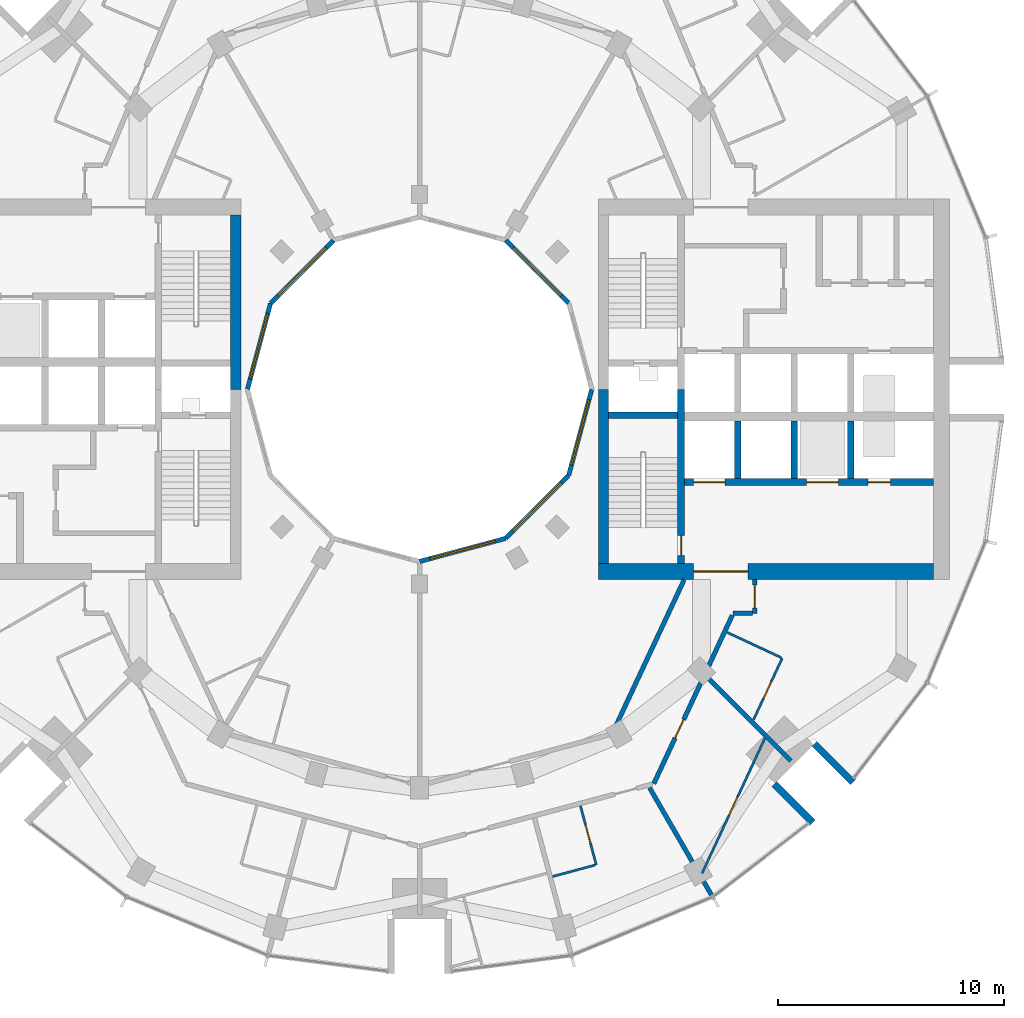
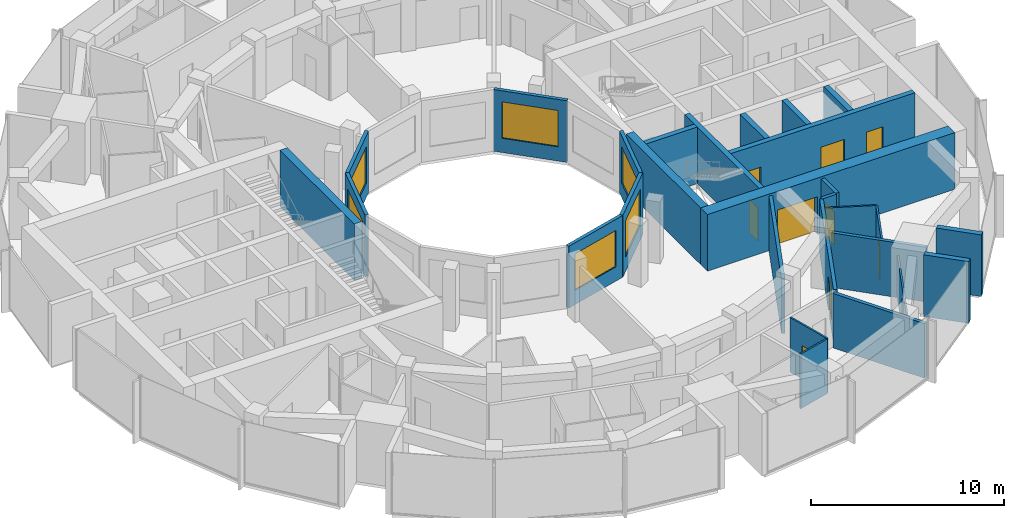
# One storey, part 10 of 15: 28 walls, 10 doors, 6 windows, 16 openings.
"""IFC4 building model written with IfcOpenShell, lengths in metres."""

from ifc_helpers import new_model, si_unit, direction, frame, frame_2d, origin, place, context, subcontext, project, spatial, rectangle, extrude, material, layer, layer_set, type_object, element, fill, save


model = new_model("IFC4")

# Units and contexts
model_context = context("Model", 3, precision=1e-05, world=origin(), true_north=direction((0.0, 1.0)))
body_context = subcontext(model_context, "Body", "Model", "MODEL_VIEW")
ifc_project = project(units=[si_unit("LENGTHUNIT", "METRE"), si_unit("AREAUNIT", "SQUARE_METRE"), si_unit("VOLUMEUNIT", "CUBIC_METRE"), si_unit("PLANEANGLEUNIT", "RADIAN"), si_unit("MASSUNIT", "GRAM", prefix="KILO")], contexts=[model_context])

# Site, building, storey
site_placement = place(None, origin())
site = spatial("IfcSite", under=ifc_project, at=site_placement, CompositionType="ELEMENT")
building_placement = place(site_placement, origin())
building = spatial("IfcBuilding", under=site, at=building_placement, Name="Torre Brocal", CompositionType="ELEMENT")
storey_placement = place(building_placement, frame((0.0, 0.0, 126.300048828125)))
storey = spatial("IfcBuildingStorey", under=building, at=storey_placement, Name="L29", CompositionType="ELEMENT", Elevation=126.300048828125)

# Wall, opening, door
ifc_material_1 = material(Name="Concrete C70", Category="concrete")
ifc_layer_1 = layer(ifc_material_1, 0.300048828125)
ifc_layer_set_1 = layer_set([ifc_layer_1], Name="Concrete C70")
wall_type_1 = type_object("IfcWallType", Name="CORE WALL 300 C70", PredefinedType="SHEAR", material=ifc_layer_set_1)
wall_1_placement = place(storey_placement, frame((91.550048828125, 67.300048828125, 0.0), z_axis=(0.0, 0.0, 1.0), x_axis=(0.0, 1.0, 0.0)))
wall_1 = element("IfcWall", 1, at=wall_1_placement, inside=storey, type_object=wall_type_1, Name="Wall CW300-70", PredefinedType="SHEAR", context=body_context, shape_type="SweptSolid", body=[
    extrude(rectangle(XDim=7.699951171875, YDim=0.300048828125, at=frame_2d((3.85009765625, 0.0))), origin(), (0.0, 0.0, 1.0), 3.579833984375),
])
opening_1_placement = place(wall_1_placement, frame((0.35009765625, 0.0, 0.0)))
opening_1 = element("IfcOpeningElement", 2, at=opening_1_placement, cuts=wall_1, Name="Opening E-D03", PredefinedType="OPENING", context=body_context, shape_type="SweptSolid", body=[
    extrude(rectangle(XDim=0.89990234375, YDim=2.10009765625, at=frame_2d((0.449951171875, 1.050048828125))), frame((0.0, 0.159912109375, 0.0), z_axis=(0.0, -1.0, 0.0), x_axis=(1.0, 0.0, 0.0)), (0.0, 0.0, 1.0), 0.320068359375),
])
ifc_material_2 = material(Name="Steel A653", Category="steel")
door_type_1 = type_object("IfcDoorType", Name="STAIR DOOR FD120 900X2100", OperationType="SINGLE_SWING_RIGHT", PredefinedType="DOOR", material=ifc_material_2)
door_1_placement = place(opening_1_placement, origin())
door_1 = element("IfcDoor", 3, at=door_1_placement, inside=storey, type_object=door_type_1, Name="Door E-D03", OperationType="SINGLE_SWING_LEFT", OverallHeight=2.10009765625, OverallWidth=0.89990234375, PredefinedType="DOOR", context=body_context, shape_type="SweptSolid", body=[
    extrude(rectangle(XDim=0.89990234375, YDim=2.10009765625, at=frame_2d((0.449951171875, 1.050048828125))), frame((0.0, 0.02490234375, 0.0), z_axis=(0.0, -1.0, 0.0), x_axis=(1.0, 0.0, 0.0)), (0.0, 0.0, 1.0), 0.050048828125),
])
fill(opening_1, door_1)

# Wall
wall_2_placement = place(storey_placement, frame((88.35009765625, 73.85009765625, 0.0), z_axis=(0.0, 0.0, 1.0), x_axis=(1.0, 0.0, 0.0)))
element("IfcWall", 4, at=wall_2_placement, inside=storey, type_object=wall_type_1, Name="Wall CW300-70", PredefinedType="SHEAR", context=body_context, shape_type="SweptSolid", body=[
    extrude(rectangle(XDim=3.0498046875, YDim=0.300048828125, at=frame_2d((1.52490234375, 0.0))), origin(), (0.0, 0.0, 1.0), 3.579833984375),
])

# Wall, openings, doors
wall_3_placement = place(storey_placement, frame((91.699951171875, 70.89990234375, 0.0), z_axis=(0.0, 0.0, 1.0), x_axis=(1.0, 0.0, 0.0)))
wall_3 = element("IfcWall", 5, at=wall_3_placement, inside=storey, type_object=wall_type_1, Name="Wall CW300-70", PredefinedType="SHEAR", context=body_context, shape_type="SweptSolid", body=[
    extrude(rectangle(XDim=11.0, YDim=0.300048828125, at=frame_2d((5.5, 0.0))), origin(), (0.0, 0.0, 1.0), 3.579833984375),
])
opening_2_placement = place(wall_3_placement, frame((0.39990234375, 0.0, 0.0)))
opening_2 = element("IfcOpeningElement", 6, at=opening_2_placement, cuts=wall_3, Name="Opening LD14", PredefinedType="OPENING", context=body_context, shape_type="SweptSolid", body=[
    extrude(rectangle(XDim=1.39990234375, YDim=2.10009765625, at=frame_2d((0.699951171875, 1.050048828125))), frame((0.0, 0.159912109375, 0.0), z_axis=(0.0, -1.0, 0.0), x_axis=(1.0, 0.0, 0.0)), (0.0, 0.0, 1.0), 0.320068359375),
])
opening_3_placement = place(wall_3_placement, frame((5.39990234375, 0.0, 0.0)))
opening_3 = element("IfcOpeningElement", 7, at=opening_3_placement, cuts=wall_3, Name="Opening LD14", PredefinedType="OPENING", context=body_context, shape_type="SweptSolid", body=[
    extrude(rectangle(XDim=1.39990234375, YDim=2.10009765625, at=frame_2d((0.699951171875, 1.050048828125))), frame((0.0, 0.159912109375, 0.0), z_axis=(0.0, -1.0, 0.0), x_axis=(1.0, 0.0, 0.0)), (0.0, 0.0, 1.0), 0.320068359375),
])
opening_4_placement = place(wall_3_placement, frame((8.10009765625, 0.0, 0.0)))
opening_4 = element("IfcOpeningElement", 8, at=opening_4_placement, cuts=wall_3, Name="Opening LD10", PredefinedType="OPENING", context=body_context, shape_type="SweptSolid", body=[
    extrude(rectangle(XDim=1.0, YDim=2.10009765625, at=frame_2d((0.5, 1.050048828125))), frame((0.0, 0.159912109375, 0.0), z_axis=(0.0, -1.0, 0.0), x_axis=(1.0, 0.0, 0.0)), (0.0, 0.0, 1.0), 0.320068359375),
])
ifc_material_3 = material(Name="Stainless steel AISI 316", Category="steel")
door_type_2 = type_object("IfcDoorType", Name="LIFT LANDING DOOR 1000X2100", OperationType="DOUBLE_DOOR_SLIDING", PredefinedType="DOOR", material=ifc_material_3)
door_2_placement = place(opening_4_placement, origin())
door_2 = element("IfcDoor", 9, at=door_2_placement, inside=storey, type_object=door_type_2, Name="Door LD10", OperationType="DOUBLE_DOOR_SLIDING", OverallHeight=2.10009765625, OverallWidth=1.0, PredefinedType="DOOR", context=body_context, shape_type="SweptSolid", body=[
    extrude(rectangle(XDim=1.0, YDim=2.10009765625, at=frame_2d((0.5, 1.050048828125))), frame((0.0, 0.02490234375, 0.0), z_axis=(0.0, -1.0, 0.0), x_axis=(1.0, 0.0, 0.0)), (0.0, 0.0, 1.0), 0.050048828125),
])
fill(opening_4, door_2)
ifc_material_4 = material(Name="Stainless steel AISI 316", Category="steel")
door_type_3 = type_object("IfcDoorType", Name="LIFT LANDING DOOR 1400X2100", OperationType="DOUBLE_DOOR_SLIDING", PredefinedType="DOOR", material=ifc_material_4)
door_3_placement = place(opening_2_placement, origin())
door_3 = element("IfcDoor", 10, at=door_3_placement, inside=storey, type_object=door_type_3, Name="Door LD14", OperationType="DOUBLE_DOOR_SLIDING", OverallHeight=2.10009765625, OverallWidth=1.39990234375, PredefinedType="DOOR", context=body_context, shape_type="SweptSolid", body=[
    extrude(rectangle(XDim=1.39990234375, YDim=2.10009765625, at=frame_2d((0.699951171875, 1.050048828125))), frame((0.0, 0.02490234375, 0.0), z_axis=(0.0, -1.0, 0.0), x_axis=(1.0, 0.0, 0.0)), (0.0, 0.0, 1.0), 0.050048828125),
])
fill(opening_2, door_3)
door_4_placement = place(opening_3_placement, origin())
door_4 = element("IfcDoor", 11, at=door_4_placement, inside=storey, type_object=door_type_3, Name="Door LD14", OperationType="DOUBLE_DOOR_SLIDING", OverallHeight=2.10009765625, OverallWidth=1.39990234375, PredefinedType="DOOR", context=body_context, shape_type="SweptSolid", body=[
    extrude(rectangle(XDim=1.39990234375, YDim=2.10009765625, at=frame_2d((0.699951171875, 1.050048828125))), frame((0.0, 0.02490234375, 0.0), z_axis=(0.0, -1.0, 0.0), x_axis=(1.0, 0.0, 0.0)), (0.0, 0.0, 1.0), 0.050048828125),
])
fill(opening_3, door_4)

# Walls
for number, where, z_axis, x_axis, name in (
    (12, (94.050048828125, 71.050048828125, 0.0), (0.0, 0.0, 1.0), (0.0, 1.0, 0.0), "Wall CW300-70"),
    (13, (96.550048828125, 71.050048828125, 0.0), (0.0, 0.0, 1.0), (0.0, 1.0, 0.0), "Wall CW300-70"),
    (14, (99.050048828125, 71.050048828125, 0.0), (0.0, 0.0, 1.0), (0.0, 1.0, 0.0), "Wall CW300-70"),
):
    element("IfcWall", number, at=place(storey_placement, frame(where, z_axis=z_axis, x_axis=x_axis)), inside=storey, type_object=wall_type_1, Name=name, PredefinedType="SHEAR", context=body_context, shape_type="SweptSolid", body=[
        extrude(rectangle(XDim=2.550048828125, YDim=0.300048828125, at=frame_2d((1.27490234375, 0.0))), origin(), (0.0, 0.0, 1.0), 3.579833984375),
    ])
ifc_material_5 = material(Name="Concrete C70", Category="concrete")
ifc_layer_2 = layer(ifc_material_5, 0.449951171875)
ifc_layer_set_2 = layer_set([ifc_layer_2], Name="Concrete C70")
wall_type_2 = type_object("IfcWallType", Name="CORE WALL 450 C70", PredefinedType="SHEAR", material=ifc_layer_set_2)
for number, where, z_axis, x_axis, name in (
    (15, (88.125, 67.300048828125, 0.0), (0.0, 0.0, 1.0), (0.0, 1.0, 0.0), "Wall CW450-70"),
    (16, (71.875, 82.699951171875, 0.0), (0.0, 0.0, 1.0), (0.0, -1.0, 0.0), "Wall CW450-70"),
):
    element("IfcWall", number, at=place(storey_placement, frame(where, z_axis=z_axis, x_axis=x_axis)), inside=storey, type_object=wall_type_2, Name=name, PredefinedType="SHEAR", context=body_context, shape_type="SweptSolid", body=[
        extrude(rectangle(XDim=7.699951171875, YDim=0.449951171875, at=frame_2d((3.85009765625, 0.0))), origin(), (0.0, 0.0, 1.0), 3.579833984375),
    ])

# Wall, opening, door
ifc_material_6 = material(Name="Concrete C70", Category="concrete")
ifc_layer_3 = layer(ifc_material_6, 0.699951171875)
ifc_layer_set_3 = layer_set([ifc_layer_3], Name="Concrete C70")
wall_type_3 = type_object("IfcWallType", Name="CORE WALL 700 C70", PredefinedType="SHEAR", material=ifc_layer_set_3)
wall_4_placement = place(storey_placement, frame((87.89990234375, 66.949951171875, 0.0), z_axis=(0.0, 0.0, 1.0), x_axis=(1.0, 0.0, 0.0)))
wall_4 = element("IfcWall", 17, at=wall_4_placement, inside=storey, type_object=wall_type_3, Name="Wall CW700-70", PredefinedType="SHEAR", context=body_context, shape_type="SweptSolid", body=[
    extrude(rectangle(XDim=14.800048828125, YDim=0.699951171875, at=frame_2d((7.39990234375, 0.0))), origin(), (0.0, 0.0, 1.0), 3.579833984375),
])
opening_5_placement = place(wall_4_placement, frame((4.199951171875, 0.0, 0.0)))
opening_5 = element("IfcOpeningElement", 18, at=opening_5_placement, cuts=wall_4, Name="Opening E-D30", PredefinedType="OPENING", context=body_context, shape_type="SweptSolid", body=[
    extrude(rectangle(XDim=2.39990234375, YDim=2.39990234375, at=frame_2d((1.199951171875, 1.199951171875))), frame((0.0, 0.35986328125, 0.0), z_axis=(0.0, -1.0, 0.0), x_axis=(1.0, 0.0, 0.0)), (0.0, 0.0, 1.0), 0.719970703125),
])
ifc_material_7 = material(Name="Steel A653", Category="steel")
door_type_4 = type_object("IfcDoorType", Name="DOUBLE FIRE DOOR FD90 2400X2400", OperationType="DOUBLE_DOOR_SINGLE_SWING", PredefinedType="DOOR", material=ifc_material_7)
door_5_placement = place(opening_5_placement, origin())
door_5 = element("IfcDoor", 19, at=door_5_placement, inside=storey, type_object=door_type_4, Name="Door E-D30", OperationType="DOUBLE_DOOR_SINGLE_SWING", OverallHeight=2.39990234375, OverallWidth=2.39990234375, PredefinedType="DOOR", context=body_context, shape_type="SweptSolid", body=[
    extrude(rectangle(XDim=2.39990234375, YDim=2.39990234375, at=frame_2d((1.199951171875, 1.199951171875))), frame((0.0, 0.02490234375, 0.0), z_axis=(0.0, -1.0, 0.0), x_axis=(1.0, 0.0, 0.0)), (0.0, 0.0, 1.0), 0.050048828125),
])
fill(opening_5, door_5)

# Walls
ifc_material_8 = material(Name="Concrete C70", Category="concrete")
ifc_layer_4 = layer(ifc_material_8, 0.300048828125)
ifc_layer_set_4 = layer_set([ifc_layer_4], Name="Concrete C70")
wall_type_4 = type_object("IfcWallType", Name="NOTCH RETURN WALL 300 C70", PredefinedType="NOTDEFINED", material=ifc_layer_set_4)
for number, where, z_axis, x_axis, name in (
    (20, (95.662353515625, 57.56982421875, 0.0), (0.0, 0.0, 1.0), (0.707106781187, -0.707106781187, 0.0), "NOTCH RETURN WALL"),
    (21, (97.43017578125, 59.337646484375, 0.0), (0.0, 0.0, 1.0), (0.707106781187, -0.707106781187, 0.0), "NOTCH RETURN WALL"),
):
    element("IfcWall", number, at=place(storey_placement, frame(where, z_axis=z_axis, x_axis=x_axis)), inside=storey, type_object=wall_type_4, Name=name, PredefinedType="NOTDEFINED", context=body_context, shape_type="SweptSolid", body=[
        extrude(rectangle(XDim=2.415771484375, YDim=0.300048828125, at=frame_2d((1.2080078125, 0.0))), origin(), (0.0, 0.0, 1.0), 3.89990234375),
    ])
ifc_material_9 = material(Name="Gypsum board", Category="Gypsum")
ifc_layer_5 = layer(ifc_material_9, 0.10009765625)
ifc_layer_set_5 = layer_set([ifc_layer_5], Name="Gypsum board")
wall_type_5 = type_object("IfcWallType", Name="PARTITION 100", PredefinedType="PARTITIONING", material=ifc_layer_set_5)
wall_5_placement = place(storey_placement, frame((85.87060546875, 53.477783203125, 0.0), z_axis=(0.0, 0.0, 1.0), x_axis=(0.965853538138, 0.25908867761, 0.0)))
element("IfcWall", 22, at=wall_5_placement, inside=storey, type_object=wall_type_5, Name="BATHROOM WALL", PredefinedType="PARTITIONING", context=body_context, shape_type="SweptSolid", body=[
    extrude(rectangle(XDim=1.94970703125, YDim=0.10009765625, at=frame_2d((0.974853515625, 0.0))), origin(), (0.0, 0.0, 1.0), 3.449951171875),
])

# Wall, opening, door
wall_6_placement = place(storey_placement, frame((87.10302734375, 56.60400390625, 0.0), z_axis=(0.0, 0.0, 1.0), x_axis=(0.258883730688, -0.965908491517, 0.0)))
wall_6 = element("IfcWall", 23, at=wall_6_placement, inside=storey, type_object=wall_type_5, Name="BATHROOM WALL", PredefinedType="PARTITIONING", context=body_context, shape_type="SweptSolid", body=[
    extrude(rectangle(XDim=2.699951171875, YDim=0.10009765625, at=frame_2d((1.35009765625, 0.0))), origin(), (0.0, 0.0, 1.0), 3.449951171875),
])
opening_6_placement = place(wall_6_placement, frame((0.899658203125, 0.0, 0.0)))
opening_6 = element("IfcOpeningElement", 24, at=opening_6_placement, cuts=wall_6, Name="Opening E02-D30", PredefinedType="OPENING", context=body_context, shape_type="SweptSolid", body=[
    extrude(rectangle(XDim=0.800048828125, YDim=2.10009765625, at=frame_2d((0.39990234375, 1.050048828125))), frame((0.0, 0.06005859375, 0.0), z_axis=(0.0, -1.0, 0.0), x_axis=(1.0, 0.0, 0.0)), (0.0, 0.0, 1.0), 0.1201171875),
])
ifc_material_10 = material(Name="Timber", Category="wood")
door_type_5 = type_object("IfcDoorType", Name="BATHROOM DOOR 800X2100", OperationType="SINGLE_SWING_LEFT", PredefinedType="DOOR", material=ifc_material_10)
door_6_placement = place(opening_6_placement, frame((0.800048828125, 0.0, 0.0), z_axis=(0.0, 0.0, 1.0), x_axis=(-1.0, 0.0, 0.0)))
door_6 = element("IfcDoor", 25, at=door_6_placement, inside=storey, type_object=door_type_5, Name="E02-D30", OperationType="SINGLE_SWING_RIGHT", OverallHeight=2.10009765625, OverallWidth=0.800048828125, PredefinedType="DOOR", context=body_context, shape_type="SweptSolid", body=[
    extrude(rectangle(XDim=0.800048828125, YDim=2.10009765625, at=frame_2d((0.39990234375, 1.050048828125))), frame((0.0, 0.02490234375, 0.0), z_axis=(0.0, -1.0, 0.0), x_axis=(1.0, 0.0, 0.0)), (0.0, 0.0, 1.0), 0.050048828125),
])
fill(opening_6, door_6)

# Wall
wall_7_placement = place(storey_placement, frame((93.581787109375, 64.2626953125, 0.0), z_axis=(0.0, 0.0, 1.0), x_axis=(0.906494794209, -0.422216991691, 0.0)))
element("IfcWall", 26, at=wall_7_placement, inside=storey, type_object=wall_type_5, Name="BATHROOM WALL", PredefinedType="PARTITIONING", context=body_context, shape_type="SweptSolid", body=[
    extrude(rectangle(XDim=2.6396484375, YDim=0.10009765625, at=frame_2d((1.31982421875, 0.0))), origin(), (0.0, 0.0, 1.0), 3.449951171875),
])

# Wall, opening, door
wall_8_placement = place(storey_placement, frame((94.752685546875, 60.40771484375, 0.0), z_axis=(0.0, 0.0, 1.0), x_axis=(0.422435455794, 0.906393008406, 0.0)))
wall_8 = element("IfcWall", 27, at=wall_8_placement, inside=storey, type_object=wall_type_5, Name="BATHROOM WALL", PredefinedType="PARTITIONING", context=body_context, shape_type="SweptSolid", body=[
    extrude(rectangle(XDim=3.0, YDim=0.10009765625, at=frame_2d((1.5, 0.0))), origin(), (0.0, 0.0, 1.0), 3.449951171875),
])
opening_7_placement = place(wall_8_placement, frame((1.0400390625, 0.0, 0.0)))
opening_7 = element("IfcOpeningElement", 28, at=opening_7_placement, cuts=wall_8, Name="Opening E02-D26", PredefinedType="OPENING", context=body_context, shape_type="SweptSolid", body=[
    extrude(rectangle(XDim=0.800048828125, YDim=2.10009765625, at=frame_2d((0.39990234375, 1.050048828125))), frame((0.0, 0.06005859375, 0.0), z_axis=(0.0, -1.0, 0.0), x_axis=(1.0, 0.0, 0.0)), (0.0, 0.0, 1.0), 0.1201171875),
])
door_7_placement = place(opening_7_placement, origin())
door_7 = element("IfcDoor", 29, at=door_7_placement, inside=storey, type_object=door_type_5, Name="E02-D26", OperationType="SINGLE_SWING_LEFT", OverallHeight=2.10009765625, OverallWidth=0.800048828125, PredefinedType="DOOR", context=body_context, shape_type="SweptSolid", body=[
    extrude(rectangle(XDim=0.800048828125, YDim=2.10009765625, at=frame_2d((0.39990234375, 1.050048828125))), frame((0.0, 0.02490234375, 0.0), z_axis=(0.0, -1.0, 0.0), x_axis=(1.0, 0.0, 0.0)), (0.0, 0.0, 1.0), 0.050048828125),
])
fill(opening_7, door_7)

ifc_material_11 = material(Name="Gypsum board", Category="Gypsum")
ifc_layer_6 = layer(ifc_material_11, 0.10009765625)
ifc_layer_set_6 = layer_set([ifc_layer_6], Name="Gypsum board")
wall_type_6 = type_object("IfcWallType", Name="PARTITION 100 UNDER BEAM 1220", PredefinedType="PARTITIONING", material=ifc_layer_set_6)
wall_9_placement = place(storey_placement, frame((92.47705078125, 53.618896484375, 0.0), z_axis=(0.0, 0.0, 1.0), x_axis=(0.421913254756, 0.90663620348, 0.0)))
wall_9 = element("IfcWall", 30, at=wall_9_placement, inside=storey, type_object=wall_type_6, Name="ROOM PARTITION", PredefinedType="PARTITIONING", context=body_context, shape_type="SweptSolid", body=[
    extrude(rectangle(XDim=6.572998046875, YDim=0.10009765625, at=frame_2d((3.28662109375, 0.0))), origin(), (0.0, 0.0, 1.0), 2.679931640625),
])
opening_8_placement = place(wall_9_placement, frame((2.831298828125, 0.0, 0.0)))
opening_8 = element("IfcOpeningElement", 31, at=opening_8_placement, cuts=wall_9, Name="Opening E02-D28", PredefinedType="OPENING", context=body_context, shape_type="SweptSolid", body=[
    extrude(rectangle(XDim=0.89990234375, YDim=2.10009765625, at=frame_2d((0.449951171875, 1.050048828125))), frame((0.0, 0.06005859375, 0.0), z_axis=(0.0, -1.0, 0.0), x_axis=(1.0, 0.0, 0.0)), (0.0, 0.0, 1.0), 0.1201171875),
])
ifc_material_12 = material(Name="Timber", Category="wood")
door_type_6 = type_object("IfcDoorType", Name="ROOM DOOR 900X2100", OperationType="SINGLE_SWING_LEFT", PredefinedType="DOOR", material=ifc_material_12)
door_8_placement = place(opening_8_placement, frame((0.89990234375, 0.0, 0.0), z_axis=(0.0, 0.0, 1.0), x_axis=(-1.0, 0.0, 0.0)))
door_8 = element("IfcDoor", 32, at=door_8_placement, inside=storey, type_object=door_type_6, Name="E02-D28", OperationType="SINGLE_SWING_LEFT", OverallHeight=2.10009765625, OverallWidth=0.89990234375, PredefinedType="DOOR", context=body_context, shape_type="SweptSolid", body=[
    extrude(rectangle(XDim=0.89990234375, YDim=2.10009765625, at=frame_2d((0.449951171875, 1.050048828125))), frame((0.0, 0.02490234375, 0.0), z_axis=(0.0, -1.0, 0.0), x_axis=(1.0, 0.0, 0.0)), (0.0, 0.0, 1.0), 0.050048828125),
])
fill(opening_8, door_8)

# Walls
ifc_material_13 = material(Name="Gypsum board", Category="Gypsum")
ifc_layer_7 = layer(ifc_material_13, 0.199951171875)
ifc_layer_set_7 = layer_set([ifc_layer_7], Name="Gypsum board")
wall_type_7 = type_object("IfcWallType", Name="PARTITION 200 EI60", PredefinedType="PARTITIONING", material=ifc_layer_set_7)
wall_10_placement = place(storey_placement, frame((88.501708984375, 59.774169921875, 0.0), z_axis=(0.0, 0.0, 1.0), x_axis=(0.423423307095, 0.905931952747, 0.0)))
element("IfcWall", 33, at=wall_10_placement, inside=storey, type_object=wall_type_7, Name="GUESTROOM CORRIDOR WALL", PredefinedType="PARTITIONING", context=body_context, shape_type="SweptSolid", body=[
    extrude(rectangle(XDim=7.528564453125, YDim=0.199951171875, at=frame_2d((3.76416015625, 0.0))), origin(), (0.0, 0.0, 1.0), 3.449951171875),
])
wall_11_placement = place(storey_placement, frame((90.15966796875, 57.3955078125, 0.0), z_axis=(0.0, 0.0, 1.0), x_axis=(0.499848624781, -0.86611278267, 0.0)))
element("IfcWall", 34, at=wall_11_placement, inside=storey, type_object=wall_type_7, Name="SERVICE ROOM WALL", PredefinedType="PARTITIONING", context=body_context, shape_type="SweptSolid", body=[
    extrude(rectangle(XDim=5.471923828125, YDim=0.199951171875, at=frame_2d((2.73583984375, 0.0))), origin(), (0.0, 0.0, 1.0), 3.449951171875),
])

# Wall, opening, door
wall_12_placement = place(storey_placement, frame((90.345947265625, 57.577880859375, 0.0), z_axis=(0.0, 0.0, 1.0), x_axis=(0.422476720533, 0.906373775331, 0.0)))
wall_12 = element("IfcWall", 35, at=wall_12_placement, inside=storey, type_object=wall_type_7, Name="GUESTROOM CORRIDOR WALL", PredefinedType="PARTITIONING", context=body_context, shape_type="SweptSolid", body=[
    extrude(rectangle(XDim=8.208251953125, YDim=0.199951171875, at=frame_2d((4.10400390625, 0.0))), origin(), (0.0, 0.0, 1.0), 3.449951171875),
])
opening_9_placement = place(wall_12_placement, frame((2.22265625, 0.0, 0.0)))
opening_9 = element("IfcOpeningElement", 36, at=opening_9_placement, cuts=wall_12, Name="Opening E02-D27", PredefinedType="OPENING", context=body_context, shape_type="SweptSolid", body=[
    extrude(rectangle(XDim=0.89990234375, YDim=2.10009765625, at=frame_2d((0.449951171875, 1.050048828125))), frame((0.0, 0.10986328125, 0.0), z_axis=(0.0, -1.0, 0.0), x_axis=(1.0, 0.0, 0.0)), (0.0, 0.0, 1.0), 0.219970703125),
])
door_9_placement = place(opening_9_placement, frame((0.89990234375, 0.0, 0.0), z_axis=(0.0, 0.0, 1.0), x_axis=(-1.0, 0.0, 0.0)))
door_9 = element("IfcDoor", 37, at=door_9_placement, inside=storey, type_object=door_type_6, Name="E02-D27", OperationType="SINGLE_SWING_LEFT", OverallHeight=2.10009765625, OverallWidth=0.89990234375, PredefinedType="DOOR", context=body_context, shape_type="SweptSolid", body=[
    extrude(rectangle(XDim=0.89990234375, YDim=2.10009765625, at=frame_2d((0.449951171875, 1.050048828125))), frame((0.0, 0.02490234375, 0.0), z_axis=(0.0, -1.0, 0.0), x_axis=(1.0, 0.0, 0.0)), (0.0, 0.0, 1.0), 0.050048828125),
])
fill(opening_9, door_9)

# Walls
wall_13_placement = place(storey_placement, frame((92.691650390625, 62.303466796875, 0.0), z_axis=(0.0, 0.0, 1.0), x_axis=(0.706943936447, -0.707269588432, 0.0)))
element("IfcWall", 38, at=wall_13_placement, inside=storey, type_object=wall_type_7, Name="BATHROOM WALL", PredefinedType="PARTITIONING", context=body_context, shape_type="SweptSolid", body=[
    extrude(rectangle(XDim=5.247802734375, YDim=0.199951171875, at=frame_2d((2.6240234375, 0.0))), origin(), (0.0, 0.0, 1.0), 3.449951171875),
])
wall_14_placement = place(storey_placement, frame((93.85107421875, 65.10009765625, 0.0), z_axis=(0.0, 0.0, 1.0), x_axis=(1.0, 0.0, 0.0)))
element("IfcWall", 39, at=wall_14_placement, inside=storey, type_object=wall_type_7, Name="GUESTROOM CORRIDOR WALL", PredefinedType="PARTITIONING", context=body_context, shape_type="SweptSolid", body=[
    extrude(rectangle(XDim=0.848876953125, YDim=0.199951171875, at=frame_2d((0.42431640625, 0.0))), origin(), (0.0, 0.0, 1.0), 3.449951171875),
])

# Wall, opening, door
wall_15_placement = place(storey_placement, frame((94.800048828125, 65.10009765625, 0.0), z_axis=(0.0, 0.0, 1.0), x_axis=(0.0, 1.0, 0.0)))
wall_15 = element("IfcWall", 40, at=wall_15_placement, inside=storey, type_object=wall_type_7, Name="GUESTROOM CORRIDOR WALL", PredefinedType="PARTITIONING", context=body_context, shape_type="SweptSolid", body=[
    extrude(rectangle(XDim=1.4990234375, YDim=0.199951171875, at=frame_2d((0.74951171875, 0.0))), origin(), (0.0, 0.0, 1.0), 3.449951171875),
])
opening_10_placement = place(wall_15_placement, frame((0.25, 0.0, 0.0)))
opening_10 = element("IfcOpeningElement", 41, at=opening_10_placement, cuts=wall_15, Name="Opening E02-D25", PredefinedType="OPENING", context=body_context, shape_type="SweptSolid", body=[
    extrude(rectangle(XDim=1.0, YDim=2.10009765625, at=frame_2d((0.5, 1.050048828125))), frame((0.0, 0.10986328125, 0.0), z_axis=(0.0, -1.0, 0.0), x_axis=(1.0, 0.0, 0.0)), (0.0, 0.0, 1.0), 0.219970703125),
])
ifc_material_14 = material(Name="Timber", Category="wood")
door_type_7 = type_object("IfcDoorType", Name="FLAT ENTRY DOOR FD30S 1000X2100", OperationType="SINGLE_SWING_RIGHT", PredefinedType="DOOR", material=ifc_material_14)
door_10_placement = place(opening_10_placement, frame((1.0, 0.0, 0.0), z_axis=(0.0, 0.0, 1.0), x_axis=(-1.0, 0.0, 0.0)))
door_10 = element("IfcDoor", 42, at=door_10_placement, inside=storey, type_object=door_type_7, Name="E02-D25", OperationType="SINGLE_SWING_LEFT", OverallHeight=2.10009765625, OverallWidth=1.0, PredefinedType="DOOR", context=body_context, shape_type="SweptSolid", body=[
    extrude(rectangle(XDim=1.0, YDim=2.10009765625, at=frame_2d((0.5, 1.050048828125))), frame((0.0, 0.02490234375, 0.0), z_axis=(0.0, -1.0, 0.0), x_axis=(1.0, 0.0, 0.0)), (0.0, 0.0, 1.0), 0.050048828125),
])
fill(opening_10, door_10)

# Wall, opening, window
ifc_material_15 = material(Name="Concrete C40", Category="concrete")
ifc_layer_8 = layer(ifc_material_15, 0.199951171875)
ifc_layer_set_8 = layer_set([ifc_layer_8], Name="Concrete C40")
wall_type_8 = type_object("IfcWallType", Name="WELL FACADE WALL 200", PredefinedType="NOTDEFINED", material=ifc_layer_set_8)
wall_16_placement = place(storey_placement, frame((86.5849609375, 78.8017578125, 0.0), z_axis=(0.0, 0.0, 1.0), x_axis=(-0.707106781187, 0.707106781187, 0.0)))
wall_16 = element("IfcWall", 43, at=wall_16_placement, inside=storey, type_object=wall_type_8, Name="WELL FACADE WALL", PredefinedType="NOTDEFINED", context=body_context, shape_type="SweptSolid", body=[
    extrude(rectangle(XDim=3.93603515625, YDim=0.199951171875, at=frame_2d((1.968017578125, 0.0))), origin(), (0.0, 0.0, 1.0), 3.89990234375),
])
opening_11_placement = place(wall_16_placement, frame((0.468017578125, 0.0, 0.89990234375)))
opening_11 = element("IfcOpeningElement", 44, at=opening_11_placement, cuts=wall_16, Name="Opening W1", PredefinedType="OPENING", context=body_context, shape_type="SweptSolid", body=[
    extrude(rectangle(XDim=3.0, YDim=2.300048828125, at=frame_2d((1.5, 1.14990234375))), frame((0.0, 0.10986328125, 0.0), z_axis=(0.0, -1.0, 0.0), x_axis=(1.0, 0.0, 0.0)), (0.0, 0.0, 1.0), 0.219970703125),
])
ifc_material_16 = material(Name="Aluminium and glass", Category="aluminium")
window_type = type_object("IfcWindowType", Name="WELL WINDOW 3000X2300", PartitioningType="SINGLE_PANEL", PredefinedType="WINDOW", material=ifc_material_16)
window_1_placement = place(opening_11_placement, origin())
window_1 = element("IfcWindow", 45, at=window_1_placement, inside=storey, type_object=window_type, Name="WELL WINDOW 3000X2300", OverallHeight=2.300048828125, OverallWidth=3.0, PartitioningType="SINGLE_PANEL", PredefinedType="WINDOW", context=body_context, shape_type="SweptSolid", body=[
    extrude(rectangle(XDim=3.0, YDim=2.300048828125, at=frame_2d((1.5, 1.14990234375))), frame((0.0, 0.030029296875, 0.0), z_axis=(0.0, -1.0, 0.0), x_axis=(1.0, 0.0, 0.0)), (0.0, 0.0, 1.0), 0.06005859375),
])
fill(opening_11, window_1)

wall_17_placement = place(storey_placement, frame((76.1982421875, 81.5849609375, 0.0), z_axis=(0.0, 0.0, 1.0), x_axis=(-0.707106781187, -0.707106781187, 0.0)))
wall_17 = element("IfcWall", 46, at=wall_17_placement, inside=storey, type_object=wall_type_8, Name="WELL FACADE WALL", PredefinedType="NOTDEFINED", context=body_context, shape_type="SweptSolid", body=[
    extrude(rectangle(XDim=3.93603515625, YDim=0.199951171875, at=frame_2d((1.968017578125, 0.0))), origin(), (0.0, 0.0, 1.0), 3.89990234375),
])
opening_12_placement = place(wall_17_placement, frame((0.468017578125, 0.0, 0.89990234375)))
opening_12 = element("IfcOpeningElement", 47, at=opening_12_placement, cuts=wall_17, Name="Opening W1", PredefinedType="OPENING", context=body_context, shape_type="SweptSolid", body=[
    extrude(rectangle(XDim=3.0, YDim=2.300048828125, at=frame_2d((1.5, 1.14990234375))), frame((0.0, 0.10986328125, 0.0), z_axis=(0.0, -1.0, 0.0), x_axis=(1.0, 0.0, 0.0)), (0.0, 0.0, 1.0), 0.219970703125),
])
window_2_placement = place(opening_12_placement, origin())
window_2 = element("IfcWindow", 48, at=window_2_placement, inside=storey, type_object=window_type, Name="WELL WINDOW 3000X2300", OverallHeight=2.300048828125, OverallWidth=3.0, PartitioningType="SINGLE_PANEL", PredefinedType="WINDOW", context=body_context, shape_type="SweptSolid", body=[
    extrude(rectangle(XDim=3.0, YDim=2.300048828125, at=frame_2d((1.5, 1.14990234375))), frame((0.0, 0.030029296875, 0.0), z_axis=(0.0, -1.0, 0.0), x_axis=(1.0, 0.0, 0.0)), (0.0, 0.0, 1.0), 0.06005859375),
])
fill(opening_12, window_2)

wall_18_placement = place(storey_placement, frame((73.4150390625, 78.8017578125, 0.0), z_axis=(0.0, 0.0, 1.0), x_axis=(-0.258789828301, -0.965933654434, 0.0)))
wall_18 = element("IfcWall", 49, at=wall_18_placement, inside=storey, type_object=wall_type_8, Name="WELL FACADE WALL", PredefinedType="NOTDEFINED", context=body_context, shape_type="SweptSolid", body=[
    extrude(rectangle(XDim=3.935791015625, YDim=0.199951171875, at=frame_2d((1.9677734375, 0.0))), origin(), (0.0, 0.0, 1.0), 3.89990234375),
])
opening_13_placement = place(wall_18_placement, frame((0.468017578125, 0.0, 0.89990234375)))
opening_13 = element("IfcOpeningElement", 50, at=opening_13_placement, cuts=wall_18, Name="Opening W1", PredefinedType="OPENING", context=body_context, shape_type="SweptSolid", body=[
    extrude(rectangle(XDim=3.0, YDim=2.300048828125, at=frame_2d((1.5, 1.14990234375))), frame((0.0, 0.10986328125, 0.0), z_axis=(0.0, -1.0, 0.0), x_axis=(1.0, 0.0, 0.0)), (0.0, 0.0, 1.0), 0.219970703125),
])
window_3_placement = place(opening_13_placement, origin())
window_3 = element("IfcWindow", 51, at=window_3_placement, inside=storey, type_object=window_type, Name="WELL WINDOW 3000X2300", OverallHeight=2.300048828125, OverallWidth=3.0, PartitioningType="SINGLE_PANEL", PredefinedType="WINDOW", context=body_context, shape_type="SweptSolid", body=[
    extrude(rectangle(XDim=3.0, YDim=2.300048828125, at=frame_2d((1.5, 1.14990234375))), frame((0.0, 0.030029296875, 0.0), z_axis=(0.0, -1.0, 0.0), x_axis=(1.0, 0.0, 0.0)), (0.0, 0.0, 1.0), 0.06005859375),
])
fill(opening_13, window_3)

wall_19_placement = place(storey_placement, frame((80.0, 67.396484375, 0.0), z_axis=(0.0, 0.0, 1.0), x_axis=(0.965933654434, 0.258789828301, 0.0)))
wall_19 = element("IfcWall", 52, at=wall_19_placement, inside=storey, type_object=wall_type_8, Name="WELL FACADE WALL", PredefinedType="NOTDEFINED", context=body_context, shape_type="SweptSolid", body=[
    extrude(rectangle(XDim=3.935791015625, YDim=0.199951171875, at=frame_2d((1.9677734375, 0.0))), origin(), (0.0, 0.0, 1.0), 3.89990234375),
])
opening_14_placement = place(wall_19_placement, frame((0.468017578125, 0.0, 0.89990234375)))
opening_14 = element("IfcOpeningElement", 53, at=opening_14_placement, cuts=wall_19, Name="Opening W1", PredefinedType="OPENING", context=body_context, shape_type="SweptSolid", body=[
    extrude(rectangle(XDim=3.0, YDim=2.300048828125, at=frame_2d((1.5, 1.14990234375))), frame((0.0, 0.10986328125, 0.0), z_axis=(0.0, -1.0, 0.0), x_axis=(1.0, 0.0, 0.0)), (0.0, 0.0, 1.0), 0.219970703125),
])
window_4_placement = place(opening_14_placement, origin())
window_4 = element("IfcWindow", 54, at=window_4_placement, inside=storey, type_object=window_type, Name="WELL WINDOW 3000X2300", OverallHeight=2.300048828125, OverallWidth=3.0, PartitioningType="SINGLE_PANEL", PredefinedType="WINDOW", context=body_context, shape_type="SweptSolid", body=[
    extrude(rectangle(XDim=3.0, YDim=2.300048828125, at=frame_2d((1.5, 1.14990234375))), frame((0.0, 0.030029296875, 0.0), z_axis=(0.0, -1.0, 0.0), x_axis=(1.0, 0.0, 0.0)), (0.0, 0.0, 1.0), 0.06005859375),
])
fill(opening_14, window_4)

wall_20_placement = place(storey_placement, frame((83.8017578125, 68.4150390625, 0.0), z_axis=(0.0, 0.0, 1.0), x_axis=(0.707106781187, 0.707106781187, 0.0)))
wall_20 = element("IfcWall", 55, at=wall_20_placement, inside=storey, type_object=wall_type_8, Name="WELL FACADE WALL", PredefinedType="NOTDEFINED", context=body_context, shape_type="SweptSolid", body=[
    extrude(rectangle(XDim=3.93603515625, YDim=0.199951171875, at=frame_2d((1.968017578125, 0.0))), origin(), (0.0, 0.0, 1.0), 3.89990234375),
])
opening_15_placement = place(wall_20_placement, frame((0.468017578125, 0.0, 0.89990234375)))
opening_15 = element("IfcOpeningElement", 56, at=opening_15_placement, cuts=wall_20, Name="Opening W1", PredefinedType="OPENING", context=body_context, shape_type="SweptSolid", body=[
    extrude(rectangle(XDim=3.0, YDim=2.300048828125, at=frame_2d((1.5, 1.14990234375))), frame((0.0, 0.10986328125, 0.0), z_axis=(0.0, -1.0, 0.0), x_axis=(1.0, 0.0, 0.0)), (0.0, 0.0, 1.0), 0.219970703125),
])
window_5_placement = place(opening_15_placement, origin())
window_5 = element("IfcWindow", 57, at=window_5_placement, inside=storey, type_object=window_type, Name="WELL WINDOW 3000X2300", OverallHeight=2.300048828125, OverallWidth=3.0, PartitioningType="SINGLE_PANEL", PredefinedType="WINDOW", context=body_context, shape_type="SweptSolid", body=[
    extrude(rectangle(XDim=3.0, YDim=2.300048828125, at=frame_2d((1.5, 1.14990234375))), frame((0.0, 0.030029296875, 0.0), z_axis=(0.0, -1.0, 0.0), x_axis=(1.0, 0.0, 0.0)), (0.0, 0.0, 1.0), 0.06005859375),
])
fill(opening_15, window_5)

wall_21_placement = place(storey_placement, frame((86.5849609375, 71.1982421875, 0.0), z_axis=(0.0, 0.0, 1.0), x_axis=(0.258789828301, 0.965933654434, 0.0)))
wall_21 = element("IfcWall", 58, at=wall_21_placement, inside=storey, type_object=wall_type_8, Name="WELL FACADE WALL", PredefinedType="NOTDEFINED", context=body_context, shape_type="SweptSolid", body=[
    extrude(rectangle(XDim=3.935791015625, YDim=0.199951171875, at=frame_2d((1.9677734375, 0.0))), origin(), (0.0, 0.0, 1.0), 3.89990234375),
])
opening_16_placement = place(wall_21_placement, frame((0.468017578125, 0.0, 0.89990234375)))
opening_16 = element("IfcOpeningElement", 59, at=opening_16_placement, cuts=wall_21, Name="Opening W1", PredefinedType="OPENING", context=body_context, shape_type="SweptSolid", body=[
    extrude(rectangle(XDim=3.0, YDim=2.300048828125, at=frame_2d((1.5, 1.14990234375))), frame((0.0, 0.10986328125, 0.0), z_axis=(0.0, -1.0, 0.0), x_axis=(1.0, 0.0, 0.0)), (0.0, 0.0, 1.0), 0.219970703125),
])
window_6_placement = place(opening_16_placement, origin())
window_6 = element("IfcWindow", 60, at=window_6_placement, inside=storey, type_object=window_type, Name="WELL WINDOW 3000X2300", OverallHeight=2.300048828125, OverallWidth=3.0, PartitioningType="SINGLE_PANEL", PredefinedType="WINDOW", context=body_context, shape_type="SweptSolid", body=[
    extrude(rectangle(XDim=3.0, YDim=2.300048828125, at=frame_2d((1.5, 1.14990234375))), frame((0.0, 0.030029296875, 0.0), z_axis=(0.0, -1.0, 0.0), x_axis=(1.0, 0.0, 0.0)), (0.0, 0.0, 1.0), 0.06005859375),
])
fill(opening_16, window_6)

save(model, "model.ifc")
